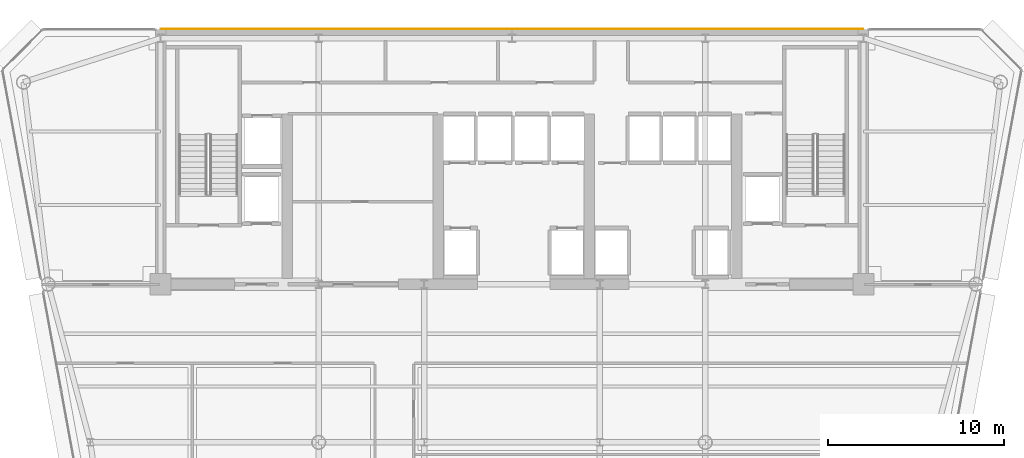
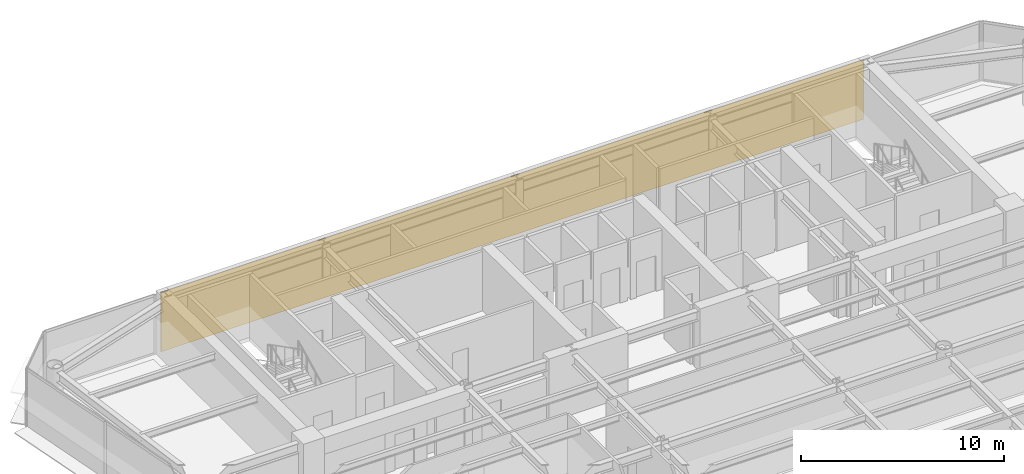
# One storey, part 15 of 16: 1 covering.
"""IFC4 building model written with IfcOpenShell, lengths in metres."""

from ifc_helpers import new_model, si_unit, direction, frame, origin, place, context, subcontext, project, spatial, polyline, outline, extrude, material, layer, layer_set, type_object, element, save


model = new_model("IFC4")

# Units and contexts
model_context = context("Model", 3, precision=1e-05, world=origin(), true_north=direction((0.0, 1.0)))
body_context = subcontext(model_context, "Body", "Model", "MODEL_VIEW")
ifc_project = project(units=[si_unit("LENGTHUNIT", "METRE"), si_unit("AREAUNIT", "SQUARE_METRE"), si_unit("VOLUMEUNIT", "CUBIC_METRE"), si_unit("PLANEANGLEUNIT", "RADIAN"), si_unit("MASSUNIT", "GRAM", prefix="KILO")], contexts=[model_context])

# Site, building, storey
site_placement = place(None, origin())
site = spatial("IfcSite", under=ifc_project, at=site_placement, CompositionType="ELEMENT")
building_placement = place(site_placement, origin())
building = spatial("IfcBuilding", under=site, at=building_placement, Name="Vaeldorn Concourse Tower", CompositionType="ELEMENT")
storey_placement = place(building_placement, frame((0.0, 0.0, 195.60009765625)))
storey = spatial("IfcBuildingStorey", under=building, at=storey_placement, Name="L50", CompositionType="ELEMENT", Elevation=195.60009765625)

# Covering
ifc_material = material(Name="Anodised Bronze Aluminium", Category="aluminium")
ifc_layer = layer(ifc_material, 0.050048828125)
ifc_layer_set = layer_set([ifc_layer], Name="Anodised Bronze Aluminium")
covering_type = type_object("IfcCoveringType", Name="COV-CLAD-BRONZE", PredefinedType="CLADDING", material=ifc_layer_set)
covering_placement = place(storey_placement, origin())
element("IfcCovering", 1, at=covering_placement, inside=storey, type_object=covering_type, Name="Rear Core Bronze Spandrel Cladding L50", PredefinedType="CLADDING", context=body_context, shape_type="SweptSolid", body=[
    extrude(outline(polyline([(14.0, 51.0), (54.0, 51.0), (54.0, 51.050048828125), (14.0, 51.050048828125), (14.0, 51.0)])), origin(), (0.0, 0.0, 1.0), 3.579833984375),
])

save(model, "model.ifc")
